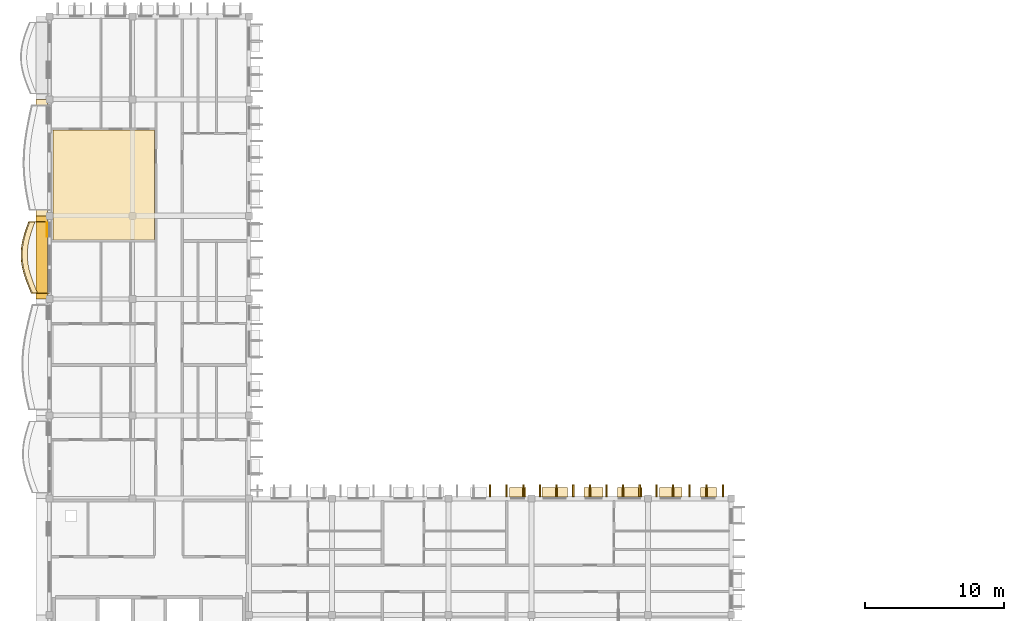
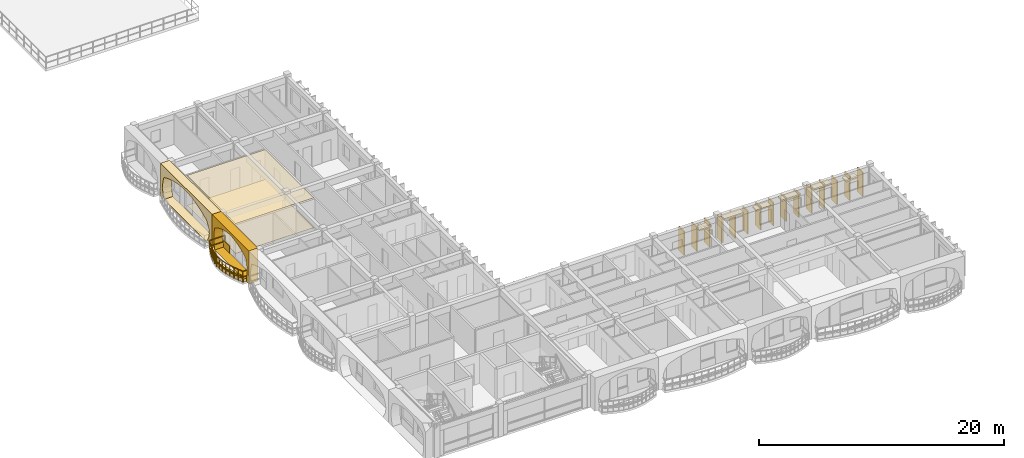
# One storey, part 44 of 66: 27 coverings, 1 railing.
"""IFC4 building model written with IfcOpenShell, lengths in metres."""

from ifc_helpers import new_model, si_unit, direction, frame, origin, origin_2d, place, context, subcontext, project, spatial, polyline, rectangle, outline, extrude, material, layer, layer_set, type_object, element, save


model = new_model("IFC4")

# Units and contexts
model_context = context("Model", 3, precision=1e-05, world=origin(), true_north=direction((0.0, 1.0)))
body_context = subcontext(model_context, "Body", "Model", "MODEL_VIEW")
ifc_project = project(units=[si_unit("LENGTHUNIT", "METRE"), si_unit("AREAUNIT", "SQUARE_METRE"), si_unit("VOLUMEUNIT", "CUBIC_METRE"), si_unit("PLANEANGLEUNIT", "RADIAN"), si_unit("MASSUNIT", "GRAM", prefix="KILO"), si_unit("THERMODYNAMICTEMPERATUREUNIT", "KELVIN")], contexts=[model_context])

# Site, building, storey
site_placement = place(None, origin())
site = spatial("IfcSite", under=ifc_project, at=site_placement, CompositionType="ELEMENT")
building_placement = place(site_placement, origin())
building = spatial("IfcBuilding", under=site, at=building_placement, Name="Thalorik Housing Commons", CompositionType="ELEMENT")
storey_placement = place(building_placement, frame((0.0, 0.0, 21.300048828125)))
storey = spatial("IfcBuildingStorey", under=building, at=storey_placement, Name="L06", CompositionType="ELEMENT", Elevation=21.300048828125)

# Coverings
ifc_material_1 = material(Name="Precast concrete C40/50", Category="concrete")
ifc_layer_1 = layer(ifc_material_1, 0.85009765625, Name="Precast concrete C40/50", Category="concrete")
ifc_layer_set_1 = layer_set([ifc_layer_1], Name="Precast concrete C40/50")
covering_type_1 = type_object("IfcCoveringType", Name="ARC-CLD-CUSH-850", PredefinedType="CLADDING", material=ifc_layer_set_1)
covering_1_placement = place(storey_placement, frame((7.844970703125, 47.39990234375, 0.0), z_axis=(0.0, 0.0, 1.0), x_axis=(0.0, -1.0, 0.0)))
element("IfcCovering", 1, at=covering_1_placement, inside=storey, type_object=covering_type_1, Name="L06 White Precast Curved Cushion Bay Frame 4077", PredefinedType="CLADDING", context=body_context, shape_type="SweptSolid", body=[
    extrude(outline(polyline([(-4.199951171875, 0.0), (4.199951171875, 0.0), (4.199951171875, 3.300048828125), (-4.199951171875, 3.300048828125), (-4.199951171875, 0.0)]), holes=[polyline([(3.239990234375, 0.02490234375), (3.523193359375, 0.390869140625), (3.693359375, 0.756591796875), (3.75, 1.12255859375), (3.693359375, 1.48828125), (3.523193359375, 1.854248046875), (3.239990234375, 2.219970703125), (2.664794921875, 2.469482421875), (2.089599609375, 2.66552734375), (1.514404296875, 2.824462890625), (0.939208984375, 2.9423828125), (0.364013671875, 3.015380859375), (-0.211181640625, 3.0400390625), (-0.78662109375, 3.015380859375), (-1.36181640625, 2.9423828125), (-1.93701171875, 2.824462890625), (-2.51220703125, 2.66552734375), (-3.08740234375, 2.469482421875), (-3.66259765625, 2.219970703125), (-3.77587890625, 1.854248046875), (-3.843994140625, 1.48828125), (-3.86669921875, 1.12255859375), (-3.843994140625, 0.756591796875), (-3.77587890625, 0.390869140625), (-3.66259765625, 0.02490234375), (3.239990234375, 0.02490234375)])]), frame((0.0, 0.425048828125, 0.0), z_axis=(0.0, -1.0, 0.0), x_axis=(1.0, 0.0, 0.0)), (0.0, 0.0, 1.0), 0.85009765625),
])
covering_2_placement = place(storey_placement, frame((7.844970703125, 40.199951171875, 0.0), z_axis=(0.0, 0.0, 1.0), x_axis=(0.0, -1.0, 0.0)))
element("IfcCovering", 2, at=covering_2_placement, inside=storey, type_object=covering_type_1, Name="L06 White Precast Curved Cushion Bay Frame 4079", PredefinedType="CLADDING", context=body_context, shape_type="SweptSolid", body=[
    extrude(outline(polyline([(-3.0, 0.0), (3.0, 0.0), (3.0, 3.300048828125), (-3.0, 3.300048828125), (-3.0, 0.0)]), holes=[polyline([(2.510009765625, 0.02490234375), (2.61328125, 0.394287109375), (2.675537109375, 0.76318359375), (2.6962890625, 1.132568359375), (2.675537109375, 1.501708984375), (2.61328125, 1.870849609375), (2.510009765625, 2.239990234375), (2.08837890625, 2.4833984375), (1.666748046875, 2.6748046875), (1.2451171875, 2.82958984375), (0.8232421875, 2.94482421875), (0.401611328125, 3.01611328125), (-0.02001953125, 3.0400390625), (-0.441650390625, 3.01611328125), (-0.86328125, 2.94482421875), (-1.284912109375, 2.82958984375), (-1.706787109375, 2.6748046875), (-2.12841796875, 2.4833984375), (-2.550048828125, 2.239990234375), (-2.64501953125, 1.870849609375), (-2.701904296875, 1.501708984375), (-2.720947265625, 1.132568359375), (-2.701904296875, 0.76318359375), (-2.64501953125, 0.394287109375), (-2.550048828125, 0.02490234375), (2.510009765625, 0.02490234375)])]), frame((0.0, 0.425048828125, 0.0), z_axis=(0.0, -1.0, 0.0), x_axis=(1.0, 0.0, 0.0)), (0.0, 0.0, 1.0), 0.85009765625),
])
ifc_layer_2 = layer(ifc_material_1, 0.85009765625, Name="Precast concrete C40/50", Category="concrete")
ifc_layer_set_2 = layer_set([ifc_layer_2], Name="Precast concrete C40/50")
covering_type_2 = type_object("IfcCoveringType", Name="ARC-CLD-FIN-850", PredefinedType="CLADDING", material=ifc_layer_set_2)
for number, where, z_axis, x_axis, name in (
    (3, (57.0, 23.35498046875, 0.0400390625), (0.0, 0.0, 1.0), (-1.0, 0.0, 0.0), "L06 Courtyard Precast Vertical Brise-Soleil Fin 4116"),
    (4, (55.800048828125, 23.35498046875, 0.0400390625), (0.0, 0.0, 1.0), (-1.0, 0.0, 0.0), "L06 Courtyard Precast Vertical Brise-Soleil Fin 4117"),
    (5, (54.60009765625, 23.35498046875, 0.0400390625), (0.0, 0.0, 1.0), (-1.0, 0.0, 0.0), "L06 Courtyard Precast Vertical Brise-Soleil Fin 4118"),
    (6, (53.39990234375, 23.35498046875, 0.0400390625), (0.0, 0.0, 1.0), (-1.0, 0.0, 0.0), "L06 Courtyard Precast Vertical Brise-Soleil Fin 4119"),
    (7, (52.199951171875, 23.35498046875, 0.0400390625), (0.0, 0.0, 1.0), (-1.0, 0.0, 0.0), "L06 Courtyard Precast Vertical Brise-Soleil Fin 4120"),
):
    element("IfcCovering", number, at=place(storey_placement, frame(where, z_axis=z_axis, x_axis=x_axis)), inside=storey, type_object=covering_type_2, Name=name, PredefinedType="CLADDING", context=body_context, shape_type="SweptSolid", body=[
        extrude(rectangle(XDim=0.110107421875, YDim=0.85009765625, at=origin_2d()), origin(), (0.0, 0.0, 1.0), 2.39501953125),
    ])
for number, where, z_axis, x_axis, name in (
    (8, (51.0, 23.35498046875, 0.0400390625), (0.0, 0.0, 1.0), (-1.0, 0.0, 0.0), "L06 Courtyard Precast Vertical Brise-Soleil Fin 4123"),
    (9, (49.800048828125, 23.35498046875, 0.0400390625), (0.0, 0.0, 1.0), (-1.0, 0.0, 0.0), "L06 Courtyard Precast Vertical Brise-Soleil Fin 4124"),
    (10, (48.60009765625, 23.35498046875, 0.0400390625), (0.0, 0.0, 1.0), (-1.0, 0.0, 0.0), "L06 Courtyard Precast Vertical Brise-Soleil Fin 4125"),
    (11, (47.39990234375, 23.35498046875, 0.0400390625), (0.0, 0.0, 1.0), (-1.0, 0.0, 0.0), "L06 Courtyard Precast Vertical Brise-Soleil Fin 4126"),
    (12, (46.199951171875, 23.35498046875, 0.0400390625), (0.0, 0.0, 1.0), (-1.0, 0.0, 0.0), "L06 Courtyard Precast Vertical Brise-Soleil Fin 4127"),
    (13, (45.0, 23.35498046875, 0.0400390625), (0.0, 0.0, 1.0), (-1.0, 0.0, 0.0), "L06 Courtyard Precast Vertical Brise-Soleil Fin 4128"),
    (14, (43.800048828125, 23.35498046875, 0.0400390625), (0.0, 0.0, 1.0), (-1.0, 0.0, 0.0), "L06 Courtyard Precast Vertical Brise-Soleil Fin 4129"),
):
    element("IfcCovering", number, at=place(storey_placement, frame(where, z_axis=z_axis, x_axis=x_axis)), inside=storey, type_object=covering_type_2, Name=name, PredefinedType="CLADDING", context=body_context, shape_type="SweptSolid", body=[
        extrude(rectangle(XDim=0.110107421875, YDim=0.85009765625, at=origin_2d()), origin(), (0.0, 0.0, 1.0), 2.294921875),
    ])
for number, where, z_axis, x_axis, name in (
    (15, (42.60009765625, 23.35498046875, 0.0400390625), (0.0, 0.0, 1.0), (-1.0, 0.0, 0.0), "L06 Courtyard Precast Vertical Brise-Soleil Fin 4133"),
    (16, (41.39990234375, 23.35498046875, 0.0400390625), (0.0, 0.0, 1.0), (-1.0, 0.0, 0.0), "L06 Courtyard Precast Vertical Brise-Soleil Fin 4134"),
    (17, (40.199951171875, 23.35498046875, 0.0400390625), (0.0, 0.0, 1.0), (-1.0, 0.0, 0.0), "L06 Courtyard Precast Vertical Brise-Soleil Fin 4135"),
):
    element("IfcCovering", number, at=place(storey_placement, frame(where, z_axis=z_axis, x_axis=x_axis)), inside=storey, type_object=covering_type_2, Name=name, PredefinedType="CLADDING", context=body_context, shape_type="SweptSolid", body=[
        extrude(rectangle(XDim=0.110107421875, YDim=0.85009765625, at=origin_2d()), origin(), (0.0, 0.0, 1.0), 2.39501953125),
    ])
ifc_layer_3 = layer(ifc_material_1, 0.64990234375, Name="Precast concrete C40/50", Category="concrete")
ifc_layer_set_3 = layer_set([ifc_layer_3], Name="Precast concrete C40/50")
covering_type_3 = type_object("IfcCoveringType", Name="ARC-CLD-HOOD-650", PredefinedType="CLADDING", material=ifc_layer_set_3)
covering_3_placement = place(storey_placement, frame((55.969970703125, 23.2548828125, 1.990234375), z_axis=(0.0, 0.0, 1.0), x_axis=(-1.0, 0.0, 0.0)))
element("IfcCovering", 18, at=covering_3_placement, inside=storey, type_object=covering_type_3, Name="L06 Courtyard Precast Window Sun-Hood 4121", PredefinedType="CLADDING", context=body_context, shape_type="SweptSolid", body=[
    extrude(rectangle(XDim=1.139892578125, YDim=0.64990234375, at=origin_2d()), origin(), (0.0, 0.0, 1.0), 0.139892578125),
])
covering_4_placement = place(storey_placement, frame((53.22998046875, 23.2548828125, 2.240234375), z_axis=(0.0, 0.0, 1.0), x_axis=(-1.0, 0.0, 0.0)))
element("IfcCovering", 19, at=covering_4_placement, inside=storey, type_object=covering_type_3, Name="L06 Courtyard Precast Window Sun-Hood 4122", PredefinedType="CLADDING", context=body_context, shape_type="SweptSolid", body=[
    extrude(rectangle(XDim=1.639892578125, YDim=0.64990234375, at=origin_2d()), origin(), (0.0, 0.0, 1.0), 0.139892578125),
])
covering_5_placement = place(storey_placement, frame((50.27587890625, 23.2548828125, 2.18994140625), z_axis=(0.0, 0.0, 1.0), x_axis=(-1.0, 0.0, 0.0)))
element("IfcCovering", 20, at=covering_5_placement, inside=storey, type_object=covering_type_3, Name="L06 Courtyard Precast Window Sun-Hood 4130", PredefinedType="CLADDING", context=body_context, shape_type="SweptSolid", body=[
    extrude(rectangle(XDim=1.7900390625, YDim=0.64990234375, at=origin_2d()), origin(), (0.0, 0.0, 1.0), 0.139892578125),
])
covering_6_placement = place(storey_placement, frame((47.6689453125, 23.2548828125, 2.0400390625), z_axis=(0.0, 0.0, 1.0), x_axis=(-1.0, 0.0, 0.0)))
element("IfcCovering", 21, at=covering_6_placement, inside=storey, type_object=covering_type_3, Name="L06 Courtyard Precast Window Sun-Hood 4131", PredefinedType="CLADDING", context=body_context, shape_type="SweptSolid", body=[
    extrude(rectangle(XDim=1.389892578125, YDim=0.64990234375, at=origin_2d()), origin(), (0.0, 0.0, 1.0), 0.139892578125),
])
covering_7_placement = place(storey_placement, frame((44.863037109375, 23.2548828125, 2.22509765625), z_axis=(0.0, 0.0, 1.0), x_axis=(-1.0, 0.0, 0.0)))
element("IfcCovering", 22, at=covering_7_placement, inside=storey, type_object=covering_type_3, Name="L06 Courtyard Precast Window Sun-Hood 4132", PredefinedType="CLADDING", context=body_context, shape_type="SweptSolid", body=[
    extrude(rectangle(XDim=1.820068359375, YDim=0.64990234375, at=origin_2d()), origin(), (0.0, 0.0, 1.0), 0.139892578125),
])
covering_8_placement = place(storey_placement, frame((42.199951171875, 23.2548828125, 1.93994140625), z_axis=(0.0, 0.0, 1.0), x_axis=(-1.0, 0.0, 0.0)))
element("IfcCovering", 23, at=covering_8_placement, inside=storey, type_object=covering_type_3, Name="L06 Courtyard Precast Window Sun-Hood 4138", PredefinedType="CLADDING", context=body_context, shape_type="SweptSolid", body=[
    extrude(rectangle(XDim=1.18994140625, YDim=0.64990234375, at=origin_2d()), origin(), (0.0, 0.0, 1.0), 0.139892578125),
])
ifc_material_2 = material(Name="Mineral ochre architectural terracotta panel", Category="masonry")
ifc_layer_4 = layer(ifc_material_2, 0.06494140625, Name="Mineral ochre architectural terracotta panel", Category="masonry")
ifc_layer_set_4 = layer_set([ifc_layer_4], Name="Mineral ochre architectural terracotta panel")
covering_type_4 = type_object("IfcCoveringType", Name="ARC-CLD-YEL-65", PredefinedType="CLADDING", material=ifc_layer_set_4)
covering_9_placement = place(storey_placement, frame((8.232421875, 42.199951171875, 0.0498046875), z_axis=(0.0, 0.0, 1.0), x_axis=(0.0, -1.0, 0.0)))
element("IfcCovering", 24, at=covering_9_placement, inside=storey, type_object=covering_type_4, Name="L06 De Stijl Recessed Window Spandrel 4080", PredefinedType="CLADDING", context=body_context, shape_type="SweptSolid", body=[
    extrude(rectangle(XDim=1.0, YDim=0.06494140625, at=origin_2d()), origin(), (0.0, 0.0, 1.0), 0.699951171875),
])
ifc_material_3 = material(Name="Fire-rated calcium silicate corridor ceiling")
ifc_layer_5 = layer(ifc_material_3, 0.030029296875, Name="Fire-rated calcium silicate corridor ceiling")
ifc_layer_set_5 = layer_set([ifc_layer_5], Name="Fire-rated calcium silicate corridor ceiling")
covering_type_5 = type_object("IfcCoveringType", Name="ARC-COV-CEIL-05", PredefinedType="CEILING", material=ifc_layer_set_5)
covering_10_placement = place(storey_placement, frame((0.0, 0.0, 2.969970703125)))
element("IfcCovering", 25, at=covering_10_placement, inside=storey, type_object=covering_type_5, Name="L06 Living Dining Room Suspended Ceiling", PredefinedType="CEILING", context=body_context, shape_type="SweptSolid", body=[
    extrude(outline(polyline([(16.0, 49.39501953125), (8.639892578125, 49.39501953125), (8.639892578125, 41.469970703125), (16.0, 41.469970703125), (16.0, 49.39501953125)])), origin(), (0.0, 0.0, 1.0), 0.030029296875),
])
ifc_material_4 = material(Name="Heavy-duty porcelain metro vestibule tile")
ifc_layer_6 = layer(ifc_material_4, 0.028076171875, Name="Heavy-duty porcelain metro vestibule tile")
ifc_layer_set_6 = layer_set([ifc_layer_6], Name="Heavy-duty porcelain metro vestibule tile")
covering_type_6 = type_object("IfcCoveringType", Name="ARC-COV-FLR-05", PredefinedType="FLOORING", material=ifc_layer_set_6)
covering_11_placement = place(storey_placement, origin())
element("IfcCovering", 26, at=covering_11_placement, inside=storey, type_object=covering_type_6, Name="L06 Living Dining Room Flooring", PredefinedType="FLOORING", context=body_context, shape_type="SweptSolid", body=[
    extrude(outline(polyline([(16.0, 49.39501953125), (8.639892578125, 49.39501953125), (8.639892578125, 41.469970703125), (16.0, 41.469970703125), (16.0, 49.39501953125)])), origin(), (0.0, 0.0, 1.0), 0.02783203125),
])
ifc_material_5 = material(Name="Planted vegetated substrate and terracotta trough", Category="masonry")
ifc_layer_7 = layer(ifc_material_5, 0.340087890625, Name="Planted vegetated substrate and terracotta trough", Category="masonry")
ifc_layer_set_7 = layer_set([ifc_layer_7], Name="Planted vegetated substrate and terracotta trough")
covering_type_7 = type_object("IfcCoveringType", Name="ARC-COV-PLANTER", PredefinedType="USERDEFINED", material=ifc_layer_set_7)
covering_12_placement = place(storey_placement, origin())
element("IfcCovering", 27, at=covering_12_placement, inside=storey, type_object=covering_type_7, Name="L06 Balcony Slab-Edge Planted Trough 5609", ObjectType="PLANTER", PredefinedType="USERDEFINED", context=body_context, shape_type="SweptSolid", body=[
    extrude(outline(polyline([(6.982421875, 42.780029296875), (6.82421875, 42.35009765625), (6.68115234375, 41.919921875), (6.56298828125, 41.489990234375), (6.477783203125, 41.06005859375), (6.43212890625, 40.6298828125), (6.429443359375, 40.199951171875), (6.470703125, 39.77001953125), (6.553466796875, 39.340087890625), (6.6728515625, 38.909912109375), (6.82177734375, 38.47998046875), (6.990478515625, 38.050048828125), (7.16845703125, 37.6201171875), (7.54833984375, 37.6201171875), (7.37060546875, 38.050048828125), (7.201904296875, 38.47998046875), (7.052978515625, 38.909912109375), (6.933349609375, 39.340087890625), (6.8505859375, 39.77001953125), (6.8095703125, 40.199951171875), (6.812255859375, 40.6298828125), (6.85791015625, 41.06005859375), (6.94287109375, 41.489990234375), (7.061279296875, 41.919921875), (7.204345703125, 42.35009765625), (7.3623046875, 42.780029296875), (6.982421875, 42.780029296875)])), origin(), (0.0, 0.0, 1.0), 0.33984375),
])

# Railing
ifc_material_6 = material(Name="Steel S355", Category="steel")
railing_type = type_object("IfcRailingType", Name="ARC-RL-BAL-115", PredefinedType="BALUSTRADE", material=ifc_material_6)
railing_placement = place(storey_placement, frame((8.39990234375, 42.780029296875, 0.0)))
element("IfcRailing", 28, at=railing_placement, inside=storey, type_object=railing_type, Name="L06 Cushion Balcony Guardrail 293", PredefinedType="BALUSTRADE", context=body_context, shape_type="SweptSolid", body=[
    extrude(rectangle(XDim=0.050048828125, YDim=0.050048828125, at=origin_2d()), frame((0.0, 0.0, 1.125), z_axis=(-1.0, 0.0, 0.0), x_axis=(0.0, -1.0, 0.0)), (0.0, 0.0, 1.0), 1.487548828125),
    extrude(rectangle(XDim=0.050048828125, YDim=0.050048828125, at=origin_2d()), frame((0.0, 0.0, 0.5498046875), z_axis=(-1.0, 0.0, 0.0), x_axis=(0.0, -1.0, 0.0)), (0.0, 0.0, 1.0), 1.487548828125),
    extrude(rectangle(XDim=0.050048828125, YDim=0.050048828125, at=origin_2d()), frame((-1.487548828125, 0.0, 1.125), z_axis=(-0.34486538533, -0.938652153889, 0.0), x_axis=(0.938652153889, -0.34486538533, 0.0)), (0.0, 0.0, 1.0), 0.4580078125),
    extrude(rectangle(XDim=0.050048828125, YDim=0.050048828125, at=origin_2d()), frame((-1.487548828125, 0.0, 0.5498046875), z_axis=(-0.34486538533, -0.938652153889, 0.0), x_axis=(0.938652153889, -0.34486538533, 0.0)), (0.0, 0.0, 1.0), 0.4580078125),
    extrude(rectangle(XDim=0.050048828125, YDim=0.050048828125, at=origin_2d()), frame((-1.6455078125, -0.429931640625, 1.125), z_axis=(-0.316066228437, -0.94873712863, 0.0), x_axis=(0.94873712863, -0.316066228437, 0.0)), (0.0, 0.0, 1.0), 0.453369140625),
    extrude(rectangle(XDim=0.050048828125, YDim=0.050048828125, at=origin_2d()), frame((-1.6455078125, -0.429931640625, 0.5498046875), z_axis=(-0.316066228437, -0.94873712863, 0.0), x_axis=(0.94873712863, -0.316066228437, 0.0)), (0.0, 0.0, 1.0), 0.453369140625),
    extrude(rectangle(XDim=0.050048828125, YDim=0.050048828125, at=origin_2d()), frame((-1.788818359375, -0.860107421875, 1.125), z_axis=(-0.265016489476, -0.964243880098, 0.0), x_axis=(0.964243880098, -0.265016489476, 0.0)), (0.0, 0.0, 1.0), 0.44580078125),
    extrude(rectangle(XDim=0.050048828125, YDim=0.050048828125, at=origin_2d()), frame((-1.788818359375, -0.860107421875, 0.5498046875), z_axis=(-0.265016489476, -0.964243880098, 0.0), x_axis=(0.964243880098, -0.265016489476, 0.0)), (0.0, 0.0, 1.0), 0.44580078125),
    extrude(rectangle(XDim=0.050048828125, YDim=0.050048828125, at=origin_2d()), frame((-1.906982421875, -1.2900390625, 1.125), z_axis=(-0.193865849494, -0.981028048733, 0.0), x_axis=(0.981028048733, -0.193865849494, 0.0)), (0.0, 0.0, 1.0), 0.438232421875),
    extrude(rectangle(XDim=0.050048828125, YDim=0.050048828125, at=origin_2d()), frame((-1.906982421875, -1.2900390625, 0.5498046875), z_axis=(-0.193865849494, -0.981028048733, 0.0), x_axis=(0.981028048733, -0.193865849494, 0.0)), (0.0, 0.0, 1.0), 0.438232421875),
    extrude(rectangle(XDim=0.050048828125, YDim=0.050048828125, at=origin_2d()), frame((-1.991943359375, -1.719970703125, 1.125), z_axis=(-0.105536708989, -0.994415407692, 0.0), x_axis=(0.994415407692, -0.105536708989, 0.0)), (0.0, 0.0, 1.0), 0.4326171875),
    extrude(rectangle(XDim=0.050048828125, YDim=0.050048828125, at=origin_2d()), frame((-1.991943359375, -1.719970703125, 0.5498046875), z_axis=(-0.105536708989, -0.994415407692, 0.0), x_axis=(0.994415407692, -0.105536708989, 0.0)), (0.0, 0.0, 1.0), 0.4326171875),
    extrude(rectangle(XDim=0.050048828125, YDim=0.050048828125, at=origin_2d()), frame((-2.03759765625, -2.150146484375, 1.125), z_axis=(-0.006246329021, -0.999980491497, 0.0), x_axis=(0.999980491497, -0.006246329021, 0.0)), (0.0, 0.0, 1.0), 0.429931640625),
    extrude(rectangle(XDim=0.050048828125, YDim=0.050048828125, at=origin_2d()), frame((-2.03759765625, -2.150146484375, 0.5498046875), z_axis=(-0.006246329021, -0.999980491497, 0.0), x_axis=(0.999980491497, -0.006246329021, 0.0)), (0.0, 0.0, 1.0), 0.429931640625),
    extrude(rectangle(XDim=0.050048828125, YDim=0.050048828125, at=origin_2d()), frame((-2.040283203125, -2.580078125, 1.125), z_axis=(0.094969151771, -0.995480215882, 0.0), x_axis=(0.995480215882, 0.094969151771, 0.0)), (0.0, 0.0, 1.0), 0.431884765625),
    extrude(rectangle(XDim=0.050048828125, YDim=0.050048828125, at=origin_2d()), frame((-2.040283203125, -2.580078125, 0.5498046875), z_axis=(0.094969151771, -0.995480215882, 0.0), x_axis=(0.995480215882, 0.094969151771, 0.0)), (0.0, 0.0, 1.0), 0.431884765625),
    extrude(rectangle(XDim=0.050048828125, YDim=0.050048828125, at=origin_2d()), frame((-1.999267578125, -3.010009765625, 1.125), z_axis=(0.189033529089, -0.98197063341, 0.0), x_axis=(0.98197063341, 0.189033529089, 0.0)), (0.0, 0.0, 1.0), 0.437744140625),
    extrude(rectangle(XDim=0.050048828125, YDim=0.050048828125, at=origin_2d()), frame((-1.999267578125, -3.010009765625, 0.5498046875), z_axis=(0.189033529089, -0.98197063341, 0.0), x_axis=(0.98197063341, 0.189033529089, 0.0)), (0.0, 0.0, 1.0), 0.437744140625),
    extrude(rectangle(XDim=0.050048828125, YDim=0.050048828125, at=origin_2d()), frame((-1.91650390625, -3.43994140625, 1.125), z_axis=(0.267418214836, -0.963580561434, 0.0), x_axis=(0.963580561434, 0.267418214836, 0.0)), (0.0, 0.0, 1.0), 0.446533203125),
    extrude(rectangle(XDim=0.050048828125, YDim=0.050048828125, at=origin_2d()), frame((-1.91650390625, -3.43994140625, 0.5498046875), z_axis=(0.267418214836, -0.963580561434, 0.0), x_axis=(0.963580561434, 0.267418214836, 0.0)), (0.0, 0.0, 1.0), 0.446533203125),
    extrude(rectangle(XDim=0.050048828125, YDim=0.050048828125, at=origin_2d()), frame((-1.797119140625, -3.8701171875, 1.125), z_axis=(0.327313279786, -0.944915878201, 0.0), x_axis=(0.944915878201, 0.327313279786, 0.0)), (0.0, 0.0, 1.0), 0.455078125),
    extrude(rectangle(XDim=0.050048828125, YDim=0.050048828125, at=origin_2d()), frame((-1.797119140625, -3.8701171875, 0.5498046875), z_axis=(0.327313279786, -0.944915878201, 0.0), x_axis=(0.944915878201, 0.327313279786, 0.0)), (0.0, 0.0, 1.0), 0.455078125),
    extrude(rectangle(XDim=0.050048828125, YDim=0.050048828125, at=origin_2d()), frame((-1.648193359375, -4.300048828125, 1.125), z_axis=(0.365276175651, -0.930899197283, 0.0), x_axis=(0.930899197283, 0.365276175651, 0.0)), (0.0, 0.0, 1.0), 0.4619140625),
    extrude(rectangle(XDim=0.050048828125, YDim=0.050048828125, at=origin_2d()), frame((-1.648193359375, -4.300048828125, 0.5498046875), z_axis=(0.365276175651, -0.930899197283, 0.0), x_axis=(0.930899197283, 0.365276175651, 0.0)), (0.0, 0.0, 1.0), 0.4619140625),
    extrude(rectangle(XDim=0.050048828125, YDim=0.050048828125, at=origin_2d()), frame((-1.4794921875, -4.72998046875, 1.125), z_axis=(0.382490814953, -0.923959293734, 0.0), x_axis=(0.923959293734, 0.382490814953, 0.0)), (0.0, 0.0, 1.0), 0.46533203125),
    extrude(rectangle(XDim=0.050048828125, YDim=0.050048828125, at=origin_2d()), frame((-1.4794921875, -4.72998046875, 0.5498046875), z_axis=(0.382490814953, -0.923959293734, 0.0), x_axis=(0.923959293734, 0.382490814953, 0.0)), (0.0, 0.0, 1.0), 0.46533203125),
    extrude(rectangle(XDim=0.050048828125, YDim=0.050048828125, at=origin_2d()), frame((-1.301513671875, -5.159912109375, 1.125), z_axis=(1.0, 0.0, 0.0), x_axis=(0.0, 1.0, 0.0)), (0.0, 0.0, 1.0), 1.301513671875),
    extrude(rectangle(XDim=0.050048828125, YDim=0.050048828125, at=origin_2d()), frame((-1.301513671875, -5.159912109375, 0.5498046875), z_axis=(1.0, 0.0, 0.0), x_axis=(0.0, 1.0, 0.0)), (0.0, 0.0, 1.0), 1.301513671875),
    extrude(rectangle(XDim=0.0419921875, YDim=0.0419921875, at=origin_2d()), origin(), (0.0, 0.0, 1.0), 1.099853515625),
    extrude(rectangle(XDim=0.0419921875, YDim=0.0419921875, at=origin_2d()), frame((-1.487548828125, 0.0, 0.0)), (0.0, 0.0, 1.0), 1.099853515625),
    extrude(rectangle(XDim=0.0419921875, YDim=0.0419921875, at=origin_2d()), frame((-1.6455078125, -0.429931640625, 0.0)), (0.0, 0.0, 1.0), 1.099853515625),
    extrude(rectangle(XDim=0.0419921875, YDim=0.0419921875, at=origin_2d()), frame((-1.788818359375, -0.860107421875, 0.0)), (0.0, 0.0, 1.0), 1.099853515625),
    extrude(rectangle(XDim=0.0419921875, YDim=0.0419921875, at=origin_2d()), frame((-1.906982421875, -1.2900390625, 0.0)), (0.0, 0.0, 1.0), 1.099853515625),
    extrude(rectangle(XDim=0.0419921875, YDim=0.0419921875, at=origin_2d()), frame((-1.991943359375, -1.719970703125, 0.0)), (0.0, 0.0, 1.0), 1.099853515625),
    extrude(rectangle(XDim=0.0419921875, YDim=0.0419921875, at=origin_2d()), frame((-2.03759765625, -2.150146484375, 0.0)), (0.0, 0.0, 1.0), 1.099853515625),
    extrude(rectangle(XDim=0.0419921875, YDim=0.0419921875, at=origin_2d()), frame((-2.040283203125, -2.580078125, 0.0)), (0.0, 0.0, 1.0), 1.099853515625),
    extrude(rectangle(XDim=0.0419921875, YDim=0.0419921875, at=origin_2d()), frame((-1.999267578125, -3.010009765625, 0.0)), (0.0, 0.0, 1.0), 1.099853515625),
    extrude(rectangle(XDim=0.0419921875, YDim=0.0419921875, at=origin_2d()), frame((-1.91650390625, -3.43994140625, 0.0)), (0.0, 0.0, 1.0), 1.099853515625),
    extrude(rectangle(XDim=0.0419921875, YDim=0.0419921875, at=origin_2d()), frame((-1.797119140625, -3.8701171875, 0.0)), (0.0, 0.0, 1.0), 1.099853515625),
    extrude(rectangle(XDim=0.0419921875, YDim=0.0419921875, at=origin_2d()), frame((-1.648193359375, -4.300048828125, 0.0)), (0.0, 0.0, 1.0), 1.099853515625),
    extrude(rectangle(XDim=0.0419921875, YDim=0.0419921875, at=origin_2d()), frame((-1.4794921875, -4.72998046875, 0.0)), (0.0, 0.0, 1.0), 1.099853515625),
    extrude(rectangle(XDim=0.0419921875, YDim=0.0419921875, at=origin_2d()), frame((-1.301513671875, -5.159912109375, 0.0)), (0.0, 0.0, 1.0), 1.099853515625),
    extrude(rectangle(XDim=0.0419921875, YDim=0.0419921875, at=origin_2d()), frame((0.0, -5.159912109375, 0.0)), (0.0, 0.0, 1.0), 1.099853515625),
])

save(model, "model.ifc")
